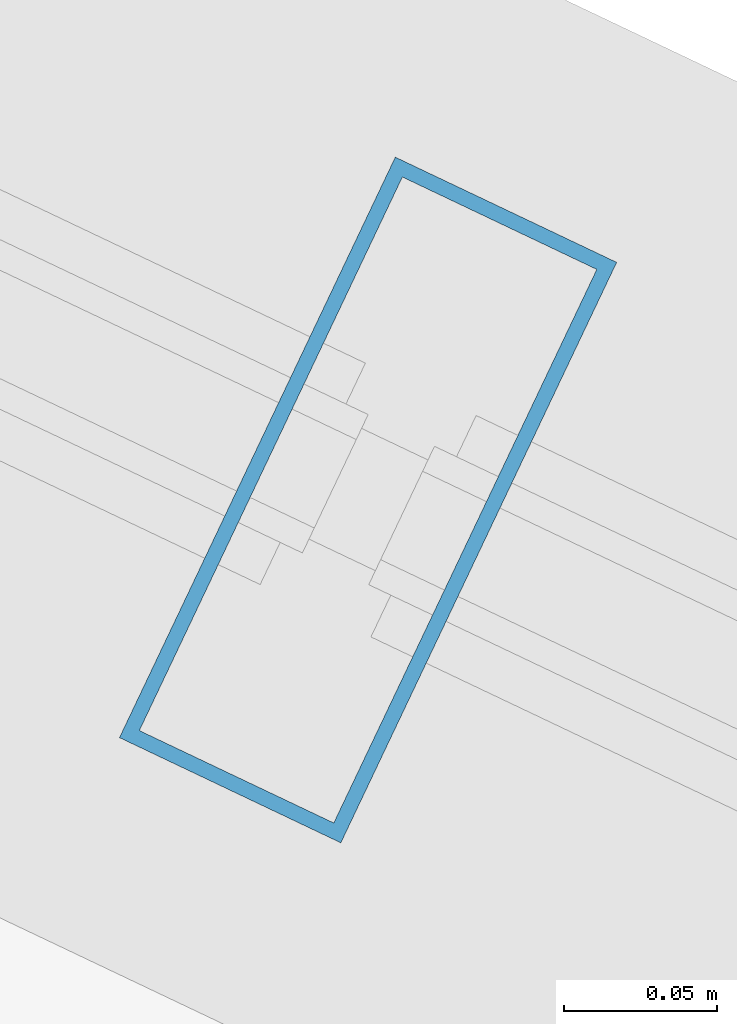
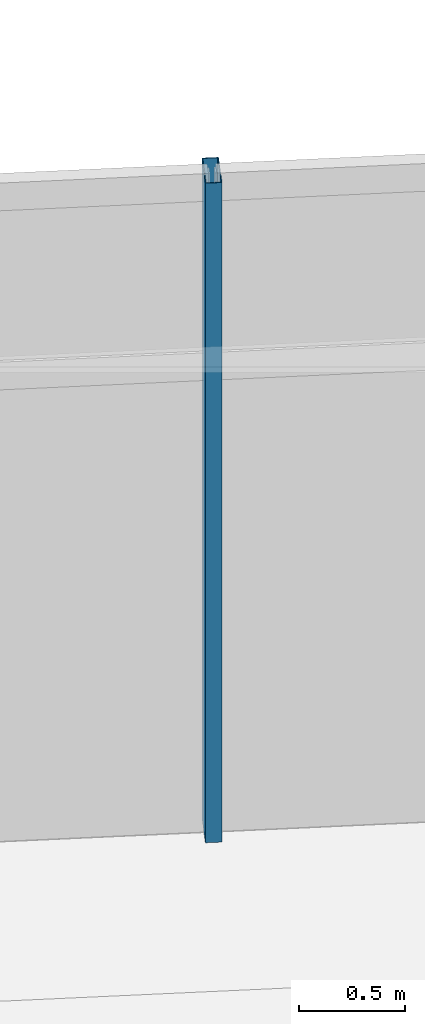
# One storey, part 121 of 171: 1 member, 1 element without a shape of its own.
"""IFC4 building model written with IfcOpenShell, lengths in metres."""

from ifc_helpers import new_model, si_unit, direction, frame, origin, origin_2d, place, context, subcontext, project, spatial, hollow_rectangle, extrude, material, layer, layer_set, material_profile, profile_set, type_object, element, aggregate, save


model = new_model("IFC4")

# Units and contexts
model_context = context("Model", 3, precision=1e-05, world=origin(), true_north=direction((0.0, 1.0)))
body_context = subcontext(model_context, "Body", "Model", "MODEL_VIEW")
ifc_project = project(units=[si_unit("LENGTHUNIT", "METRE"), si_unit("AREAUNIT", "SQUARE_METRE"), si_unit("VOLUMEUNIT", "CUBIC_METRE"), si_unit("PLANEANGLEUNIT", "RADIAN"), si_unit("MASSUNIT", "GRAM", prefix="KILO")], contexts=[model_context])

# Site, building, storey
site_placement = place(None, origin())
site = spatial("IfcSite", under=ifc_project, at=site_placement, CompositionType="ELEMENT")
building_placement = place(site_placement, origin())
building = spatial("IfcBuilding", under=site, at=building_placement, Name="Kazemori Nagisa Stadium", CompositionType="ELEMENT")
storey_placement = place(building_placement, frame((0.0, 0.0, 15.639892578125)))
storey = spatial("IfcBuildingStorey", under=building, at=storey_placement, Name="L03", CompositionType="ELEMENT", Elevation=15.639892578125)

# Curtain wall, member
ifc_material_1 = material(Name="Anodised aluminium 6063-T5", Category="aluminium")
ifc_layer = layer(ifc_material_1, 0.2099609375, Name="Anodised aluminium 6063-T5", Category="aluminium")
ifc_layer_set = layer_set([ifc_layer], Name="Anodised aluminium 6063-T5")
curtain_wall_type = type_object("IfcCurtainWallType", Name="CW_L03R3_105", PredefinedType="USERDEFINED", material=ifc_layer_set)
curtain_wall_placement = place(storey_placement, origin())
curtain_wall = element("IfcCurtainWall", 1, at=curtain_wall_placement, inside=storey, type_object=curtain_wall_type, Name="Unitised curtain wall CW-L03R3-105 L03", ObjectType="UNITISED CURTAIN WALL", PredefinedType="USERDEFINED")
ifc_material_2 = material(Name="Aluminium 6063-T5 anodised", Category="aluminium")
ifc_material_profile = material_profile(ifc_material_2, hollow_rectangle(XDim=0.080078125, YDim=0.2099609375, WallThickness=0.0048828125, at=origin_2d()), Name="ALU-MULL-80x210x5")
ifc_profile_set = profile_set([ifc_material_profile], Name="Aluminium 6063-T5 anodised")
member_type = type_object("IfcMemberType", Name="Mullion_M02", PredefinedType="MULLION", material=ifc_profile_set)
member_placement = place(storey_placement, frame((178.857177734375, 176.261962890625, 0.0), z_axis=(0.0, 0.0, 1.0), x_axis=(-0.903215892654, 0.429186499388, 0.0)))
member = element("IfcMember", 2, at=member_placement, type_object=member_type, Name="Curtain wall mullion CW-L03R3-105-M2", PredefinedType="MULLION", context=body_context, shape_type="SweptSolid", body=[
    extrude(hollow_rectangle(XDim=0.080078125, YDim=0.2099609375, WallThickness=0.0048828125, at=origin_2d()), origin(), (0.0, 0.0, 1.0), 3.81005859375),
])
aggregate(curtain_wall, [member])

save(model, "model.ifc")
